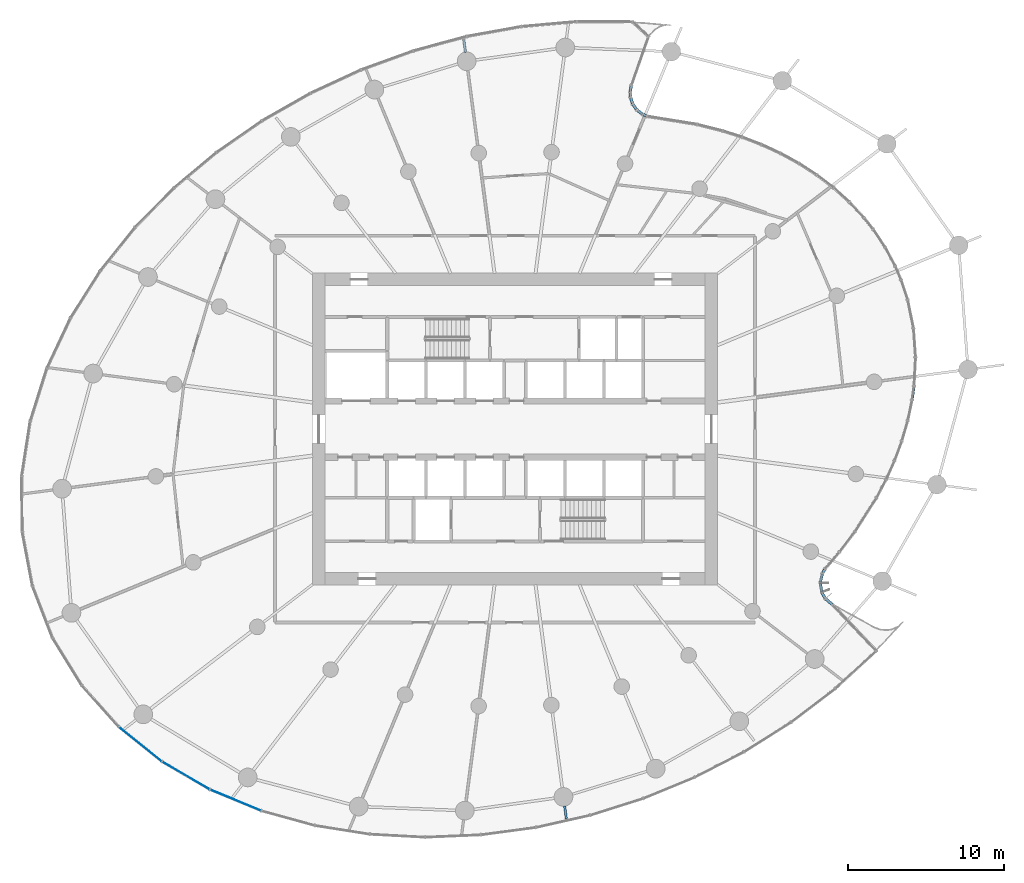
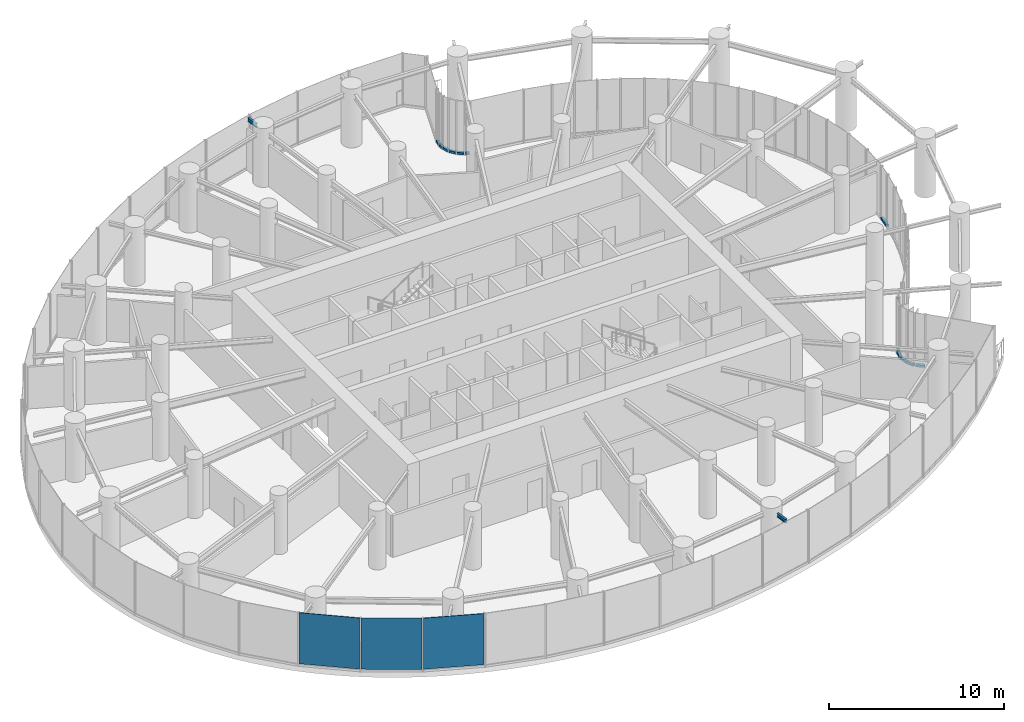
# One storey, part 9 of 21: 12 members, 3 plates, 2 beams, 5 elements without a shape of their own.
"""IFC4 building model written with IfcOpenShell, lengths in metres."""

from ifc_helpers import new_model, si_unit, direction, frame, origin, origin_2d, place, context, subcontext, project, spatial, rectangle, i_section, extrude, source, transform, mapped, material, layer, layer_set, material_profile, profile_set, type_object, element, aggregate, save


model = new_model("IFC4")

# Units and contexts
model_context = context("Model", 3, precision=1e-05, world=origin(), true_north=direction((0.0, 1.0)))
body_context = subcontext(model_context, "Body", "Model", "MODEL_VIEW")
ifc_project = project(units=[si_unit("LENGTHUNIT", "METRE"), si_unit("AREAUNIT", "SQUARE_METRE"), si_unit("VOLUMEUNIT", "CUBIC_METRE"), si_unit("PLANEANGLEUNIT", "RADIAN"), si_unit("MASSUNIT", "GRAM", prefix="KILO")], contexts=[model_context])

# Site, building, storey
site_placement = place(None, origin())
site = spatial("IfcSite", under=ifc_project, at=site_placement, CompositionType="ELEMENT")
building_placement = place(site_placement, origin())
building = spatial("IfcBuilding", under=site, at=building_placement, Name="Spindrift Exchange Tower", CompositionType="ELEMENT")
storey_placement = place(building_placement, frame((0.0, 0.0, 83.89990234375)))
storey = spatial("IfcBuildingStorey", under=building, at=storey_placement, Name="L19", CompositionType="ELEMENT", Elevation=83.89990234375)

# Beams
ifc_material_1 = material(Name="Steel Grade 300", Category="steel")
ifc_material_profile_1 = material_profile(ifc_material_1, i_section(OverallWidth=0.14599609375, OverallDepth=0.251953125, WebThickness=0.006103515625, FlangeThickness=0.008544921875, FilletRadius=0.011962890625, at=origin_2d()), Name="250UB31.4")
ifc_profile_set_1 = profile_set([ifc_material_profile_1], Name="Steel Grade 300")
beam_type = type_object("IfcBeamType", Name="Cantilever Beam 250UB31.4 Steel Grade 300", PredefinedType="BEAM", material=ifc_profile_set_1)
shared_shape_1 = source(origin(), body_context, "Body", "SweptSolid", [
    extrude(i_section(OverallWidth=0.14599609375, OverallDepth=0.251953125, WebThickness=0.006103515625, FlangeThickness=0.008544921875, FilletRadius=0.011962890625, at=origin_2d()), origin(), (0.0, 0.0, 1.0), 0.8232421875),
])
for number, where, z_axis, x_axis, name in (
    (1, (48.81787109375, 72.17041015625, 3.57421875), (-0.130492871354, 0.991449247579, 0.0), (-0.991449247579, -0.130492871354, 0.0), "L19 cantilever beam R07T"),
    (2, (55.18212890625, 23.82958984375, 3.57421875), (0.130492871354, -0.991449247579, 0.0), (0.991449247579, 0.130492871354, 0.0), "L19 cantilever beam R19T"),
):
    element("IfcBeam", number, at=place(storey_placement, frame(where, z_axis=z_axis, x_axis=x_axis)), inside=storey, type_object=beam_type, Name=name, PredefinedType="BEAM", context=body_context, shape_type="MappedRepresentation", body=[
        mapped(shared_shape_1, transform((0.0, 0.0, 0.0), scale=1.0)),
    ])

# Curtain wall, members
ifc_material_2 = material(Name="Fritted laminated glass with bronze frame", Category="glass")
ifc_layer_1 = layer(ifc_material_2, 0.199951171875)
ifc_layer_set_1 = layer_set([ifc_layer_1], Name="SKY GARDEN BRONZE GLAZED WALL")
curtain_wall_type_1 = type_object("IfcCurtainWallType", Name="SKY GARDEN BRONZE GLAZED WALL", PredefinedType="NOTDEFINED", material=ifc_layer_set_1)
curtain_wall_1_placement = place(storey_placement, origin())
curtain_wall_1 = element("IfcCurtainWall", 3, at=curtain_wall_1_placement, inside=storey, type_object=curtain_wall_type_1, Name="L19 Sky Garden Bronze Glazed Wall run 7", PredefinedType="NOTDEFINED")
ifc_material_3 = material(Name="Bronze anodised aluminium", Category="aluminium")
ifc_material_profile_2 = material_profile(ifc_material_3, rectangle(XDim=0.179931640625, YDim=0.14990234375, at=origin_2d()), Name="SKY GARDEN BRONZE GLAZED WALL TRANSOM 180X150")
ifc_profile_set_2 = profile_set([ifc_material_profile_2], Name="Bronze anodised aluminium")
member_type = type_object("IfcMemberType", Name="SKY GARDEN BRONZE GLAZED WALL TRANSOM 180X150", PredefinedType="USERDEFINED", material=ifc_profile_set_2)
shared_shape_2 = source(origin(), body_context, "Body", "SweptSolid", [
    extrude(rectangle(XDim=0.179931640625, YDim=0.14990234375, at=origin_2d()), origin(), (0.0, 0.0, 1.0), 0.52880859375),
])
member_1_placement = place(storey_placement, frame((72.34228515625, 36.760498046875, 0.0751953125), z_axis=(-0.763316218268, 0.646025038933, 0.0), x_axis=(-0.646025038933, -0.763316218268, 0.0)))
member_1 = element("IfcMember", 4, at=member_1_placement, type_object=member_type, Name="L19 transom CW-G.37", ObjectType="TRANSOM", PredefinedType="USERDEFINED", context=body_context, shape_type="MappedRepresentation", body=[
    mapped(shared_shape_2, transform((0.0, 0.0, 0.0), scale=1.0)),
])
shared_shape_3 = source(origin(), body_context, "Body", "SweptSolid", [
    extrude(rectangle(XDim=0.179931640625, YDim=0.14990234375, at=origin_2d()), origin(), (0.0, 0.0, 1.0), 0.383544921875),
])
member_2_placement = place(storey_placement, frame((71.88525390625, 37.16650390625, 0.0751953125), z_axis=(-0.494698385555, 0.86906473138, 0.0), x_axis=(-0.86906473138, -0.494698385555, 0.0)))
member_2 = element("IfcMember", 5, at=member_2_placement, type_object=member_type, Name="L19 transom CW-G.38", ObjectType="TRANSOM", PredefinedType="USERDEFINED", context=body_context, shape_type="MappedRepresentation", body=[
    mapped(shared_shape_3, transform((0.0, 0.0, 0.0), scale=1.0)),
])
shared_shape_4 = source(origin(), body_context, "Body", "SweptSolid", [
    extrude(rectangle(XDim=0.179931640625, YDim=0.14990234375, at=origin_2d()), origin(), (0.0, 0.0, 1.0), 0.526123046875),
])
member_3_placement = place(storey_placement, frame((71.582763671875, 38.185791015625, 0.0751953125), z_axis=(0.230616692369, 0.97304467585, 0.0), x_axis=(-0.97304467585, 0.230616692369, 0.0)))
member_3 = element("IfcMember", 6, at=member_3_placement, type_object=member_type, Name="L19 transom CW-G.40", ObjectType="TRANSOM", PredefinedType="USERDEFINED", context=body_context, shape_type="MappedRepresentation", body=[
    mapped(shared_shape_4, transform((0.0, 0.0, 0.0), scale=1.0)),
])
shared_shape_5 = source(origin(), body_context, "Body", "SweptSolid", [
    extrude(rectangle(XDim=0.179931640625, YDim=0.14990234375, at=origin_2d()), origin(), (0.0, 0.0, 1.0), 0.229736328125),
])
member_4_placement = place(storey_placement, frame((71.735595703125, 38.775634765625, 0.0751953125), z_axis=(0.508227729214, 0.861222721053, 0.0), x_axis=(-0.861222721053, 0.508227729214, 0.0)))
member_4 = element("IfcMember", 7, at=member_4_placement, type_object=member_type, Name="L19 transom CW-G.41", ObjectType="TRANSOM", PredefinedType="USERDEFINED", context=body_context, shape_type="MappedRepresentation", body=[
    mapped(shared_shape_5, transform((0.0, 0.0, 0.0), scale=1.0)),
])

# Curtain wall, member
curtain_wall_2_placement = place(storey_placement, origin())
curtain_wall_2 = element("IfcCurtainWall", 8, at=curtain_wall_2_placement, inside=storey, type_object=curtain_wall_type_1, Name="L19 Sky Garden Bronze Glazed Wall run 9", PredefinedType="NOTDEFINED")
shared_shape_6 = source(origin(), body_context, "Body", "SweptSolid", [
    extrude(rectangle(XDim=0.179931640625, YDim=0.14990234375, at=origin_2d()), origin(), (0.0, 0.0, 1.0), 0.83251953125),
])
member_5_placement = place(storey_placement, frame((77.4716796875, 49.906005859375, 0.0751953125), z_axis=(0.138998718939, 0.99029256088, 0.0), x_axis=(-0.99029256088, 0.138998718939, 0.0)))
member_5 = element("IfcMember", 9, at=member_5_placement, type_object=member_type, Name="L19 transom CW-G.50", ObjectType="TRANSOM", PredefinedType="USERDEFINED", context=body_context, shape_type="MappedRepresentation", body=[
    mapped(shared_shape_6, transform((0.0, 0.0, 0.0), scale=1.0)),
])
aggregate(curtain_wall_2, [member_5])

curtain_wall_3_placement = place(storey_placement, origin())
curtain_wall_3 = element("IfcCurtainWall", 10, at=curtain_wall_3_placement, inside=storey, type_object=curtain_wall_type_1, Name="L19 Sky Garden Bronze Glazed Wall run 12", PredefinedType="NOTDEFINED")
shared_shape_7 = source(origin(), body_context, "Body", "SweptSolid", [
    extrude(rectangle(XDim=0.179931640625, YDim=0.14990234375, at=origin_2d()), origin(), (0.0, 0.0, 1.0), 0.378662109375),
])
member_6_placement = place(storey_placement, frame((60.153076171875, 68.219482421875, 0.0751953125), z_axis=(-0.79580166985, 0.605557348452, 0.0), x_axis=(-0.605557348452, -0.79580166985, 0.0)))
member_6 = element("IfcMember", 11, at=member_6_placement, type_object=member_type, Name="L19 transom CW-G.70", ObjectType="TRANSOM", PredefinedType="USERDEFINED", context=body_context, shape_type="MappedRepresentation", body=[
    mapped(shared_shape_7, transform((0.0, 0.0, 0.0), scale=1.0)),
])

curtain_wall_4_placement = place(storey_placement, origin())
curtain_wall_4 = element("IfcCurtainWall", 12, at=curtain_wall_4_placement, inside=storey, type_object=curtain_wall_type_1, Name="L19 Sky Garden Bronze Glazed Wall run 13", PredefinedType="NOTDEFINED")
shared_shape_8 = source(origin(), body_context, "Body", "SweptSolid", [
    extrude(rectangle(XDim=0.179931640625, YDim=0.14990234375, at=origin_2d()), origin(), (0.0, 0.0, 1.0), 0.37841796875),
])
member_7_placement = place(storey_placement, frame((59.537353515625, 68.887451171875, 0.0751953125), z_axis=(-0.318163191817, 0.948035961012, 0.0), x_axis=(-0.948035961012, -0.318163191817, 0.0)))
member_7 = element("IfcMember", 13, at=member_7_placement, type_object=member_type, Name="L19 transom CW-G.72", ObjectType="TRANSOM", PredefinedType="USERDEFINED", context=body_context, shape_type="MappedRepresentation", body=[
    mapped(shared_shape_8, transform((0.0, 0.0, 0.0), scale=1.0)),
])

# Member
shared_shape_9 = source(origin(), body_context, "Body", "SweptSolid", [
    extrude(rectangle(XDim=0.179931640625, YDim=0.14990234375, at=origin_2d()), origin(), (0.0, 0.0, 1.0), 0.53125),
])
member_8_placement = place(storey_placement, frame((71.66748046875, 37.57861328125, 0.0751953125), z_axis=(-0.16499519074, 0.986294371388, 0.0), x_axis=(-0.986294371388, -0.16499519074, 0.0)))
member_8 = element("IfcMember", 14, at=member_8_placement, type_object=member_type, Name="L19 transom CW-G.39", ObjectType="TRANSOM", PredefinedType="USERDEFINED", context=body_context, shape_type="MappedRepresentation", body=[
    mapped(shared_shape_9, transform((0.0, 0.0, 0.0), scale=1.0)),
])

aggregate(curtain_wall_1, [member_1, member_2, member_8, member_3, member_4])

shared_shape_10 = source(origin(), body_context, "Body", "SweptSolid", [
    extrude(rectangle(XDim=0.179931640625, YDim=0.14990234375, at=origin_2d()), origin(), (0.0, 0.0, 1.0), 0.2294921875),
])
member_9_placement = place(storey_placement, frame((60.437744140625, 68.08837890625, 0.0751953125), z_axis=(-0.922035252731, 0.387105919255, 0.0), x_axis=(-0.387105919255, -0.922035252731, 0.0)))
member_9 = element("IfcMember", 15, at=member_9_placement, type_object=member_type, Name="L19 transom CW-G.69", ObjectType="TRANSOM", PredefinedType="USERDEFINED", context=body_context, shape_type="MappedRepresentation", body=[
    mapped(shared_shape_10, transform((0.0, 0.0, 0.0), scale=1.0)),
])

member_10_placement = place(storey_placement, frame((59.400390625, 69.328857421875, 0.0751953125), z_axis=(-0.071247049988, 0.997458699831, 0.0), x_axis=(-0.997458699831, -0.071247049988, 0.0)))
member_10 = element("IfcMember", 16, at=member_10_placement, type_object=member_type, Name="L19 transom CW-G.73", ObjectType="TRANSOM", PredefinedType="USERDEFINED", context=body_context, shape_type="MappedRepresentation", body=[
    mapped(shared_shape_10, transform((0.0, 0.0, 0.0), scale=1.0)),
])

shared_shape_11 = source(origin(), body_context, "Body", "SweptSolid", [
    extrude(rectangle(XDim=0.179931640625, YDim=0.14990234375, at=origin_2d()), origin(), (0.0, 0.0, 1.0), 0.373291015625),
])
member_11_placement = place(storey_placement, frame((59.793212890625, 68.509033203125, 0.0751953125), z_axis=(-0.582598137447, 0.812760364587, 0.0), x_axis=(-0.812760364587, -0.582598137447, 0.0)))
member_11 = element("IfcMember", 17, at=member_11_placement, type_object=member_type, Name="L19 transom CW-G.71", ObjectType="TRANSOM", PredefinedType="USERDEFINED", context=body_context, shape_type="MappedRepresentation", body=[
    mapped(shared_shape_11, transform((0.0, 0.0, 0.0), scale=1.0)),
])

aggregate(curtain_wall_3, [member_9, member_6, member_11])

shared_shape_12 = source(origin(), body_context, "Body", "SweptSolid", [
    extrude(rectangle(XDim=0.179931640625, YDim=0.14990234375, at=origin_2d()), origin(), (0.0, 0.0, 1.0), 0.3759765625),
])
member_12_placement = place(storey_placement, frame((59.388671875, 69.64208984375, 0.0751953125), z_axis=(0.17797082471, 0.984035764366, 0.0), x_axis=(-0.984035764366, 0.17797082471, 0.0)))
member_12 = element("IfcMember", 18, at=member_12_placement, type_object=member_type, Name="L19 transom CW-G.74", ObjectType="TRANSOM", PredefinedType="USERDEFINED", context=body_context, shape_type="MappedRepresentation", body=[
    mapped(shared_shape_12, transform((0.0, 0.0, 0.0), scale=1.0)),
])

aggregate(curtain_wall_4, [member_7, member_10, member_12])

# Curtain wall, plates
ifc_layer_2 = layer(ifc_material_2, 0.18994140625)
ifc_layer_set_2 = layer_set([ifc_layer_2], Name="ZONE 2 BRONZE FRITTED WALL")
curtain_wall_type_2 = type_object("IfcCurtainWallType", Name="ZONE 2 BRONZE FRITTED WALL", PredefinedType="NOTDEFINED", material=ifc_layer_set_2)
curtain_wall_5_placement = place(storey_placement, origin())
curtain_wall_5 = element("IfcCurtainWall", 19, at=curtain_wall_5_placement, inside=storey, type_object=curtain_wall_type_2, Name="L19 Zone 2 Bronze Fritted Wall run 4", PredefinedType="NOTDEFINED")
ifc_material_4 = material(Name="Bronze fritted laminated glass, close frit", Category="glass")
ifc_layer_3 = layer(ifc_material_4, 0.033935546875)
ifc_layer_set_3 = layer_set([ifc_layer_3], Name="ZONE 2 BRONZE FRITTED WALL PANEL CLOSE FRIT 300")
plate_type_1 = type_object("IfcPlateType", Name="ZONE 2 BRONZE FRITTED WALL PANEL CLOSE FRIT 300", PredefinedType="CURTAIN_PANEL", material=ifc_layer_set_3)
shared_shape_13 = source(origin(), body_context, "Body", "SweptSolid", [
    extrude(rectangle(XDim=3.490234375, YDim=0.033935546875, at=origin_2d()), origin(), (0.0, 0.0, 1.0), 3.56005859375),
])
plate_1_placement = place(storey_placement, frame((34.077880859375, 24.19580078125, 0.14013671875), z_axis=(0.0, 0.0, 1.0), x_axis=(0.924325067444, -0.381606039909, 0.0)))
plate_1 = element("IfcPlate", 20, at=plate_1_placement, type_object=plate_type_1, Name="L19 panel CW-2.23", PredefinedType="CURTAIN_PANEL", context=body_context, shape_type="MappedRepresentation", body=[
    mapped(shared_shape_13, transform((0.0, 0.0, 0.0), scale=1.0)),
])
ifc_layer_4 = layer(ifc_material_4, 0.033935546875)
ifc_layer_set_4 = layer_set([ifc_layer_4], Name="ZONE 2 BRONZE FRITTED WALL PANEL CLOSE FRIT 420")
plate_type_2 = type_object("IfcPlateType", Name="ZONE 2 BRONZE FRITTED WALL PANEL CLOSE FRIT 420", PredefinedType="CURTAIN_PANEL", material=ifc_layer_set_4)
shared_shape_14 = source(origin(), body_context, "Body", "SweptSolid", [
    extrude(rectangle(XDim=3.489013671875, YDim=0.033935546875, at=origin_2d()), origin(), (0.0, 0.0, 1.0), 3.56005859375),
])
plate_2_placement = place(storey_placement, frame((27.96044921875, 27.785888671875, 0.14013671875), z_axis=(0.0, 0.0, 1.0), x_axis=(0.779393736972, -0.626534438614, 0.0)))
plate_2 = element("IfcPlate", 21, at=plate_2_placement, type_object=plate_type_2, Name="L19 panel CW-2.21", PredefinedType="CURTAIN_PANEL", context=body_context, shape_type="MappedRepresentation", body=[
    mapped(shared_shape_14, transform((0.0, 0.0, 0.0), scale=1.0)),
])
ifc_layer_5 = layer(ifc_material_4, 0.033935546875)
ifc_layer_set_5 = layer_set([ifc_layer_5], Name="ZONE 2 BRONZE FRITTED WALL PANEL CLOSE FRIT 540")
plate_type_3 = type_object("IfcPlateType", Name="ZONE 2 BRONZE FRITTED WALL PANEL CLOSE FRIT 540", PredefinedType="CURTAIN_PANEL", material=ifc_layer_set_5)
shared_shape_15 = source(origin(), body_context, "Body", "SweptSolid", [
    extrude(rectangle(XDim=3.48974609375, YDim=0.033935546875, at=origin_2d()), origin(), (0.0, 0.0, 1.0), 3.56005859375),
])
plate_3_placement = place(storey_placement, frame((30.8896484375, 25.772705078125, 0.14013671875), z_axis=(0.0, 0.0, 1.0), x_axis=(0.864234414139, -0.503089333437, 0.0)))
plate_3 = element("IfcPlate", 22, at=plate_3_placement, type_object=plate_type_3, Name="L19 panel CW-2.22", PredefinedType="CURTAIN_PANEL", context=body_context, shape_type="MappedRepresentation", body=[
    mapped(shared_shape_15, transform((0.0, 0.0, 0.0), scale=1.0)),
])
aggregate(curtain_wall_5, [plate_2, plate_3, plate_1])

save(model, "model.ifc")
